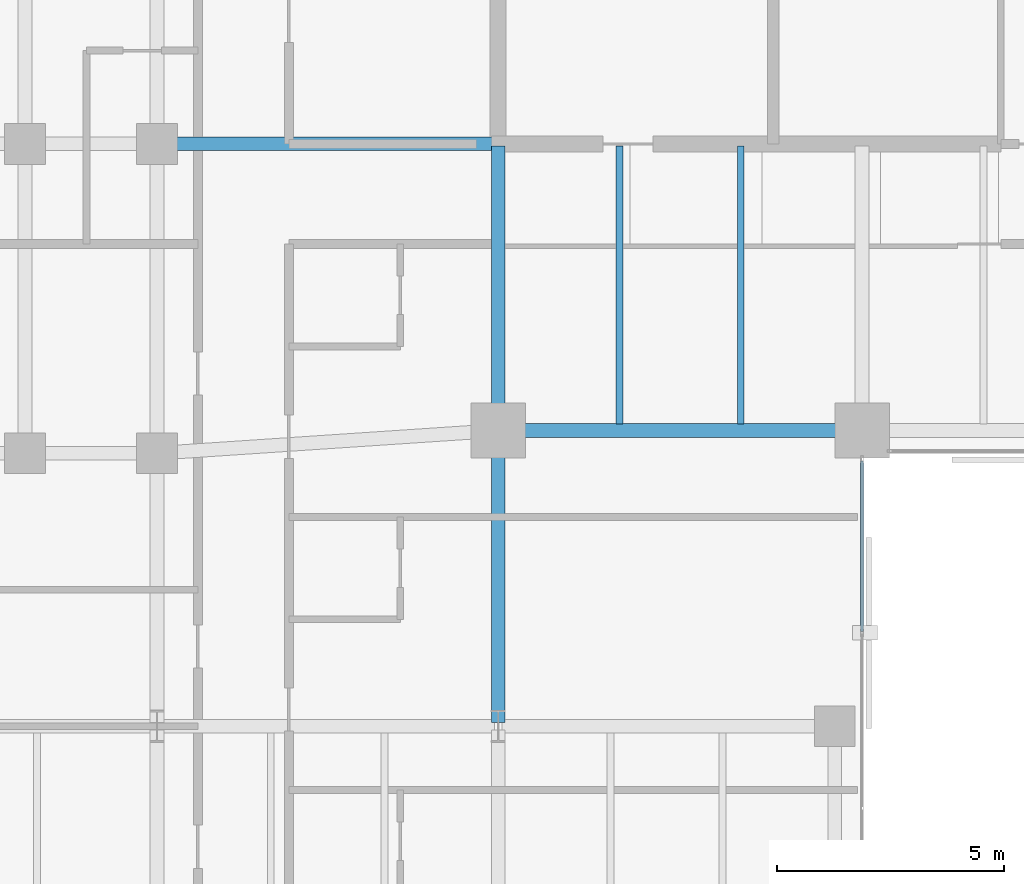
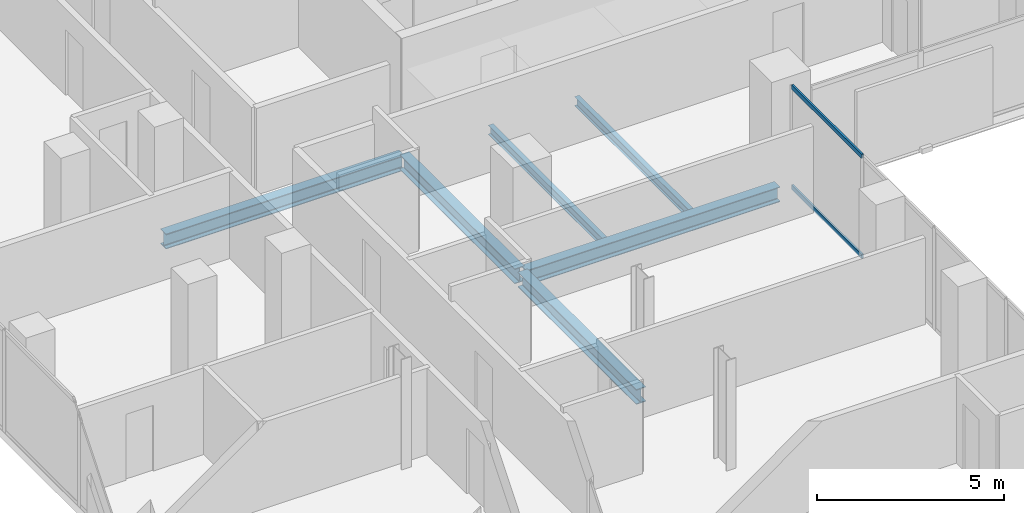
# One storey, part 12 of 34: 6 beams, 2 members, 1 element without a shape of its own.
"""IFC4 building model written with IfcOpenShell, lengths in metres."""

from ifc_helpers import new_model, si_unit, direction, frame, origin, origin_2d, place, context, subcontext, project, spatial, hollow_rectangle, i_section, extrude, material, layer, layer_set, material_profile, profile_set, type_object, element, aggregate, save


model = new_model("IFC4")

# Units and contexts
model_context = context("Model", 3, precision=1e-05, world=origin(), true_north=direction((0.0, 1.0)))
body_context = subcontext(model_context, "Body", "Model", "MODEL_VIEW")
ifc_project = project(units=[si_unit("LENGTHUNIT", "METRE"), si_unit("AREAUNIT", "SQUARE_METRE"), si_unit("VOLUMEUNIT", "CUBIC_METRE"), si_unit("PLANEANGLEUNIT", "RADIAN"), si_unit("MASSUNIT", "GRAM", prefix="KILO")], contexts=[model_context])

# Site, building, storey
site_placement = place(None, origin())
site = spatial("IfcSite", under=ifc_project, at=site_placement, CompositionType="ELEMENT")
building_placement = place(site_placement, origin())
building = spatial("IfcBuilding", under=site, at=building_placement, Name="Catumbela Crestline Tower", CompositionType="ELEMENT")
storey_placement = place(building_placement, frame((0.0, 0.0, 97.2)))
storey = spatial("IfcBuildingStorey", under=building, at=storey_placement, Name="L24", CompositionType="ELEMENT", Elevation=97.2)

# Beams
ifc_material_1 = material(Name="Structural steel S355J2", Category="steel")
ifc_material_profile_1 = material_profile(ifc_material_1, i_section(OverallWidth=0.3, OverallDepth=0.49, WebThickness=0.012, FlangeThickness=0.023, FilletRadius=0.027, at=origin_2d()), Name="HEA 500")
ifc_profile_set_1 = profile_set([ifc_material_profile_1], Name="Structural steel S355J2")
beam_type_1 = type_object("IfcBeamType", Name="BG-HEA500", PredefinedType="BEAM", material=ifc_profile_set_1)
beam_1_placement = place(storey_placement, frame((16.08, 24.5, -0.505), z_axis=(1.0, 0.0, 0.0), x_axis=(0.0, 1.0, 0.0)))
element("IfcBeam", 1, at=beam_1_placement, inside=storey, type_object=beam_type_1, Name="L24 Beam BM-L24-S04", PredefinedType="BEAM", context=body_context, shape_type="SweptSolid", body=[
    extrude(i_section(OverallWidth=0.3, OverallDepth=0.49, WebThickness=0.012, FlangeThickness=0.023, FilletRadius=0.027, at=origin_2d()), origin(), (0.0, 0.0, 1.0), 7.84),
])
beam_2_placement = place(storey_placement, frame((8.58, 30.8, -0.505), z_axis=(1.0, 0.0, 0.0), x_axis=(0.0, 1.0, 0.0)))
element("IfcBeam", 2, at=beam_2_placement, inside=storey, type_object=beam_type_1, Name="L24 Beam BM-L24-M09", PredefinedType="BEAM", context=body_context, shape_type="SweptSolid", body=[
    extrude(i_section(OverallWidth=0.3, OverallDepth=0.49, WebThickness=0.012, FlangeThickness=0.023, FilletRadius=0.027, at=origin_2d()), origin(), (0.0, 0.0, 1.0), 7.37),
])
beam_3_placement = place(storey_placement, frame((16.0, 24.58, -0.505), z_axis=(0.0, 1.0, 0.0), x_axis=(-1.0, 0.0, 0.0)))
element("IfcBeam", 3, at=beam_3_placement, inside=storey, type_object=beam_type_1, Name="L24 Beam BM-L24-SNS28", PredefinedType="BEAM", context=body_context, shape_type="SweptSolid", body=[
    extrude(i_section(OverallWidth=0.3, OverallDepth=0.49, WebThickness=0.012, FlangeThickness=0.023, FilletRadius=0.027, at=origin_2d()), origin(), (0.0, 0.0, 1.0), 6.17),
])
beam_4_placement = place(storey_placement, frame((16.0, 18.08, -0.505), z_axis=(0.0, 1.0, 0.0), x_axis=(-1.0, 0.0, 0.0)))
element("IfcBeam", 4, at=beam_4_placement, inside=storey, type_object=beam_type_1, Name="L24 Beam BM-L24-WNS60", PredefinedType="BEAM", context=body_context, shape_type="SweptSolid", body=[
    extrude(i_section(OverallWidth=0.3, OverallDepth=0.49, WebThickness=0.012, FlangeThickness=0.023, FilletRadius=0.027, at=origin_2d()), origin(), (0.0, 0.0, 1.0), 6.34),
])
ifc_material_profile_2 = material_profile(ifc_material_1, i_section(OverallWidth=0.15, OverallDepth=0.3, WebThickness=0.0071, FlangeThickness=0.0107, FilletRadius=0.015, at=origin_2d()), Name="IPE 300")
ifc_profile_set_2 = profile_set([ifc_material_profile_2], Name="Structural steel S355J2")
beam_type_2 = type_object("IfcBeamType", Name="BJ-IPE300", PredefinedType="JOIST", material=ifc_profile_set_2)
for number, where, z_axis, x_axis, name in (
    (5, (18.667, 24.647, -0.41), (0.0, 1.0, 0.0), (-1.0, 0.0, 0.0), "L24 Joist JS-L24-SP37"),
    (6, (21.333, 24.647, -0.41), (0.0, 1.0, 0.0), (-1.0, 0.0, 0.0), "L24 Joist JS-L24-SP38"),
):
    element("IfcBeam", number, at=place(storey_placement, frame(where, z_axis=z_axis, x_axis=x_axis)), inside=storey, type_object=beam_type_2, Name=name, PredefinedType="JOIST", context=body_context, shape_type="SweptSolid", body=[
        extrude(i_section(OverallWidth=0.15, OverallDepth=0.3, WebThickness=0.0071, FlangeThickness=0.0107, FilletRadius=0.015, at=origin_2d()), origin(), (0.0, 0.0, 1.0), 6.103),
    ])

# Curtain wall, members
ifc_material_2 = material(Name="Aluminium alloy AW-6060-T66", Category="aluminium")
ifc_layer = layer(ifc_material_2, 0.18, Name="Aluminium alloy AW-6060-T66")
ifc_layer_set = layer_set([ifc_layer], Name="Aluminium alloy AW-6060-T66")
curtain_wall_type = type_object("IfcCurtainWallType", Name="CWU-Z2", PredefinedType="USERDEFINED", material=ifc_layer_set)
curtain_wall_placement = place(storey_placement, origin())
curtain_wall = element("IfcCurtainWall", 7, at=curtain_wall_placement, inside=storey, type_object=curtain_wall_type, Name="L24 Unitised Curtain Wall CW-L24-E2S1", ObjectType="UNITISED", PredefinedType="USERDEFINED")
ifc_material_profile_3 = material_profile(ifc_material_2, hollow_rectangle(XDim=0.06, YDim=0.14, WallThickness=0.004, at=origin_2d()), Name="ALU 140x60x4")
ifc_profile_set_3 = profile_set([ifc_material_profile_3], Name="Aluminium alloy AW-6060-T66")
member_type = type_object("IfcMemberType", Name="TRN-140X60", PredefinedType="USERDEFINED", material=ifc_profile_set_3)
member_1_placement = place(storey_placement, frame((24.0, 20.0825, 0.03), z_axis=(0.0, 1.0, 0.0), x_axis=(-1.0, 0.0, 0.0)))
member_1 = element("IfcMember", 8, at=member_1_placement, type_object=member_type, Name="CWU-Z2 transom 4.1", ObjectType="TRANSOM", PredefinedType="USERDEFINED", context=body_context, shape_type="SweptSolid", body=[
    extrude(hollow_rectangle(XDim=0.06, YDim=0.14, WallThickness=0.004, at=origin_2d()), origin(), (0.0, 0.0, 1.0), 3.7525),
])
member_2_placement = place(storey_placement, frame((24.0, 20.0825, 3.3), z_axis=(0.0, 1.0, 0.0), x_axis=(-1.0, 0.0, 0.0)))
member_2 = element("IfcMember", 9, at=member_2_placement, type_object=member_type, Name="CWU-Z2 transom 4.2", ObjectType="TRANSOM", PredefinedType="USERDEFINED", context=body_context, shape_type="SweptSolid", body=[
    extrude(hollow_rectangle(XDim=0.06, YDim=0.14, WallThickness=0.004, at=origin_2d()), origin(), (0.0, 0.0, 1.0), 3.7525),
])
aggregate(curtain_wall, [member_1, member_2])

save(model, "model.ifc")
